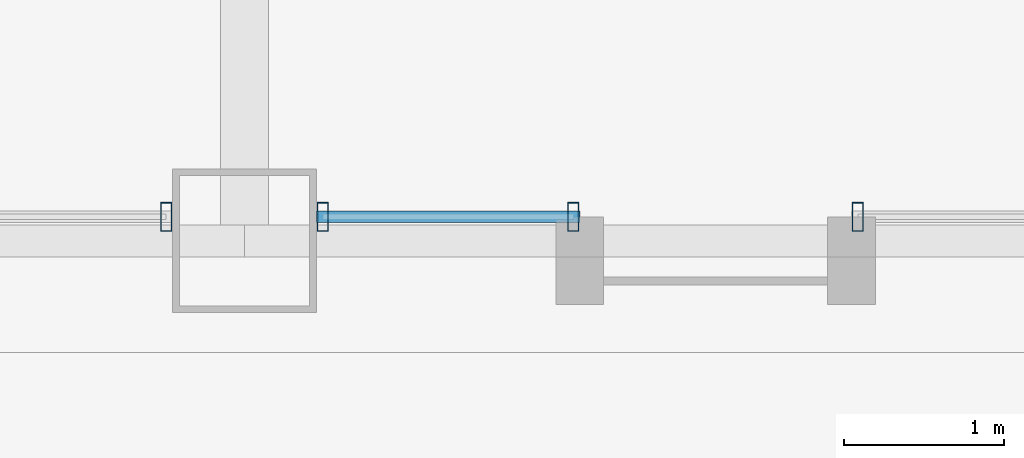
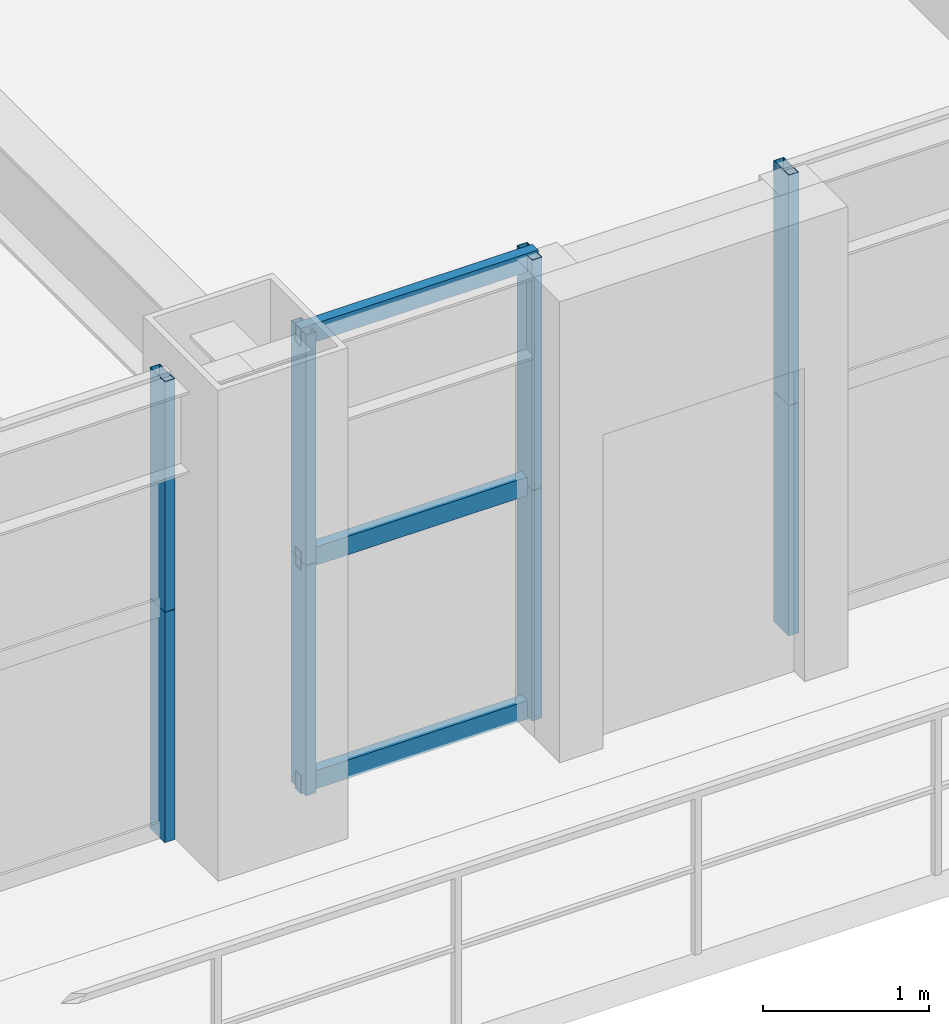
# One storey, part 9 of 41: 11 members, 3 elements without a shape of their own.
"""IFC4 building model written with IfcOpenShell, lengths in metres."""

from ifc_helpers import new_model, si_unit, direction, frame, origin, origin_2d, place, context, subcontext, project, spatial, hollow_rectangle, extrude, source, transform, mapped, material, layer, layer_set, material_profile, profile_set, type_object, element, aggregate, save


model = new_model("IFC4")

# Units and contexts
model_context = context("Model", 3, precision=1e-05, world=origin(), true_north=direction((0.0, 1.0)))
body_context = subcontext(model_context, "Body", "Model", "MODEL_VIEW")
ifc_project = project(units=[si_unit("LENGTHUNIT", "METRE"), si_unit("AREAUNIT", "SQUARE_METRE"), si_unit("VOLUMEUNIT", "CUBIC_METRE"), si_unit("PLANEANGLEUNIT", "RADIAN"), si_unit("MASSUNIT", "GRAM", prefix="KILO"), si_unit("THERMODYNAMICTEMPERATUREUNIT", "KELVIN"), si_unit("POWERUNIT", "WATT")], contexts=[model_context])

# Site, building, storey
site_placement = place(None, origin())
site = spatial("IfcSite", under=ifc_project, at=site_placement, CompositionType="ELEMENT")
building_placement = place(site_placement, origin())
building = spatial("IfcBuilding", under=site, at=building_placement, Name="Yuzanri Waterfront Tower", CompositionType="ELEMENT")
storey_placement = place(building_placement, frame((0.0, 0.0, 152.39990234375)))
storey = spatial("IfcBuildingStorey", under=building, at=storey_placement, Name="L40", CompositionType="ELEMENT", Elevation=152.39990234375)

# Curtain wall, members
ifc_material_1 = material(Name="Anodized Architectural Bronze", Category="metal")
ifc_layer = layer(ifc_material_1, 0.159912109375)
ifc_layer_set = layer_set([ifc_layer], Name="Anodized Architectural Bronze")
curtain_wall_type = type_object("IfcCurtainWallType", Name="Anodized Bronze Hotel Upper-Tier Solar-Control Unitized Curtain Wall 7800", PredefinedType="NOTDEFINED", material=ifc_layer_set)
curtain_wall_1_placement = place(storey_placement, origin())
curtain_wall_1 = element("IfcCurtainWall", 1, at=curtain_wall_1_placement, inside=storey, type_object=curtain_wall_type, Name="L40 Curtain Wall CW-L40-SL", PredefinedType="NOTDEFINED")
ifc_material_2 = material(Name="Anodized Architectural Bronze", Category="metal")
ifc_material_profile_1 = material_profile(ifc_material_2, hollow_rectangle(XDim=0.070068359375, YDim=0.179931640625, WallThickness=0.00390625, at=origin_2d()), Name="CWM 70x180")
ifc_profile_set_1 = profile_set([ifc_material_profile_1], Name="Anodized Architectural Bronze")
member_type_1 = type_object("IfcMemberType", Name="Anodized Bronze Standard Curtain-Wall Mullion 70x180", PredefinedType="MULLION", material=ifc_profile_set_1)
shared_shape_1 = source(origin(), body_context, "Body", "SweptSolid", [
    extrude(hollow_rectangle(XDim=0.070068359375, YDim=0.179931640625, WallThickness=0.00390625, at=origin_2d()), origin(), (0.0, 0.0, 1.0), 1.68798828125),
])
member_1_placement = place(storey_placement, frame((36.510009765625, 2.35009765625, 0.0), z_axis=(0.0, 0.0, 1.0), x_axis=(1.0, 0.0, 0.0)))
member_1 = element("IfcMember", 2, at=member_1_placement, type_object=member_type_1, Name="CW-L40-SL Lower Mullion 02", PredefinedType="MULLION", context=body_context, shape_type="MappedRepresentation", body=[
    mapped(shared_shape_1, transform((0.0, 0.0, 0.0), scale=1.0)),
])
member_2_placement = place(storey_placement, frame((36.510009765625, 2.35009765625, 1.692138671875), z_axis=(0.0, 0.0, 1.0), x_axis=(1.0, 0.0, 0.0)))
member_2 = element("IfcMember", 3, at=member_2_placement, type_object=member_type_1, Name="CW-L40-SL Upper Mullion 02", PredefinedType="MULLION", context=body_context, shape_type="MappedRepresentation", body=[
    mapped(shared_shape_1, transform((0.0, 0.0, 0.0), scale=1.0)),
])
aggregate(curtain_wall_1, [member_1, member_2])

curtain_wall_2_placement = place(storey_placement, origin())
curtain_wall_2 = element("IfcCurtainWall", 4, at=curtain_wall_2_placement, inside=storey, type_object=curtain_wall_type, Name="L40 Curtain Wall CW-L40-SR1", PredefinedType="NOTDEFINED")
member_3_placement = place(storey_placement, frame((37.489990234375, 2.35009765625, 0.0), z_axis=(0.0, 0.0, 1.0), x_axis=(1.0, 0.0, 0.0)))
member_3 = element("IfcMember", 5, at=member_3_placement, type_object=member_type_1, Name="CW-L40-SR1 Lower Mullion 00", PredefinedType="MULLION", context=body_context, shape_type="MappedRepresentation", body=[
    mapped(shared_shape_1, transform((0.0, 0.0, 0.0), scale=1.0)),
])
member_4_placement = place(storey_placement, frame((37.489990234375, 2.35009765625, 1.692138671875), z_axis=(0.0, 0.0, 1.0), x_axis=(1.0, 0.0, 0.0)))
member_4 = element("IfcMember", 6, at=member_4_placement, type_object=member_type_1, Name="CW-L40-SR1 Upper Mullion 00", PredefinedType="MULLION", context=body_context, shape_type="MappedRepresentation", body=[
    mapped(shared_shape_1, transform((0.0, 0.0, 0.0), scale=1.0)),
])
member_5_placement = place(storey_placement, frame((39.05810546875, 2.35009765625, 0.0), z_axis=(0.0, 0.0, 1.0), x_axis=(1.0, 0.0, 0.0)))
member_5 = element("IfcMember", 7, at=member_5_placement, type_object=member_type_1, Name="CW-L40-SR1 Lower Mullion 01", PredefinedType="MULLION", context=body_context, shape_type="MappedRepresentation", body=[
    mapped(shared_shape_1, transform((0.0, 0.0, 0.0), scale=1.0)),
])
member_6_placement = place(storey_placement, frame((39.05810546875, 2.35009765625, 1.692138671875), z_axis=(0.0, 0.0, 1.0), x_axis=(1.0, 0.0, 0.0)))
member_6 = element("IfcMember", 8, at=member_6_placement, type_object=member_type_1, Name="CW-L40-SR1 Upper Mullion 01", PredefinedType="MULLION", context=body_context, shape_type="MappedRepresentation", body=[
    mapped(shared_shape_1, transform((0.0, 0.0, 0.0), scale=1.0)),
])

curtain_wall_3_placement = place(storey_placement, origin())
curtain_wall_3 = element("IfcCurtainWall", 9, at=curtain_wall_3_placement, inside=storey, type_object=curtain_wall_type, Name="L40 Curtain Wall CW-L40-SR2", PredefinedType="NOTDEFINED")
member_7_placement = place(storey_placement, frame((40.837890625, 2.35009765625, 0.0), z_axis=(0.0, 0.0, 1.0), x_axis=(1.0, 0.0, 0.0)))
member_7 = element("IfcMember", 10, at=member_7_placement, type_object=member_type_1, Name="CW-L40-SR2 Lower Mullion 00", PredefinedType="MULLION", context=body_context, shape_type="MappedRepresentation", body=[
    mapped(shared_shape_1, transform((0.0, 0.0, 0.0), scale=1.0)),
])
member_8_placement = place(storey_placement, frame((40.837890625, 2.35009765625, 1.692138671875), z_axis=(0.0, 0.0, 1.0), x_axis=(1.0, 0.0, 0.0)))
member_8 = element("IfcMember", 11, at=member_8_placement, type_object=member_type_1, Name="CW-L40-SR2 Upper Mullion 00", PredefinedType="MULLION", context=body_context, shape_type="MappedRepresentation", body=[
    mapped(shared_shape_1, transform((0.0, 0.0, 0.0), scale=1.0)),
])
aggregate(curtain_wall_3, [member_7, member_8])

# Member
ifc_material_3 = material(Name="Anodized Architectural Bronze", Category="metal")
ifc_material_profile_2 = material_profile(ifc_material_3, hollow_rectangle(XDim=0.070068359375, YDim=0.135009765625, WallThickness=0.00341796875, at=origin_2d()), Name="CWT 70x135")
ifc_profile_set_2 = profile_set([ifc_material_profile_2], Name="Anodized Architectural Bronze")
member_type_2 = type_object("IfcMemberType", Name="Anodized Bronze Standard Curtain-Wall Transom 70x135", PredefinedType="USERDEFINED", material=ifc_profile_set_2)
shared_shape_2 = source(origin(), body_context, "Body", "SweptSolid", [
    extrude(hollow_rectangle(XDim=0.070068359375, YDim=0.135009765625, WallThickness=0.00341796875, at=origin_2d()), origin(), (0.0, 0.0, 1.0), 1.64794921875),
])
member_9_placement = place(storey_placement, frame((37.449951171875, 2.35009765625, 0.050048828125), z_axis=(1.0, 0.0, 0.0), x_axis=(0.0, 1.0, 0.0)))
member_9 = element("IfcMember", 12, at=member_9_placement, type_object=member_type_2, Name="CW-L40-SR1 Transom 1", ObjectType="TRANSOM", PredefinedType="USERDEFINED", context=body_context, shape_type="MappedRepresentation", body=[
    mapped(shared_shape_2, transform((0.0, 0.0, 0.0), scale=1.0)),
])

member_10_placement = place(storey_placement, frame((37.449951171875, 2.35009765625, 1.690185546875), z_axis=(1.0, 0.0, 0.0), x_axis=(0.0, 1.0, 0.0)))
member_10 = element("IfcMember", 13, at=member_10_placement, type_object=member_type_2, Name="CW-L40-SR1 Transom 2", ObjectType="TRANSOM", PredefinedType="USERDEFINED", context=body_context, shape_type="MappedRepresentation", body=[
    mapped(shared_shape_2, transform((0.0, 0.0, 0.0), scale=1.0)),
])

member_11_placement = place(storey_placement, frame((37.449951171875, 2.35009765625, 3.330078125), z_axis=(1.0, 0.0, 0.0), x_axis=(0.0, 1.0, 0.0)))
member_11 = element("IfcMember", 14, at=member_11_placement, type_object=member_type_2, Name="CW-L40-SR1 Transom 3", ObjectType="TRANSOM", PredefinedType="USERDEFINED", context=body_context, shape_type="MappedRepresentation", body=[
    mapped(shared_shape_2, transform((0.0, 0.0, 0.0), scale=1.0)),
])

aggregate(curtain_wall_2, [member_3, member_4, member_5, member_6, member_9, member_10, member_11])

save(model, "model.ifc")
